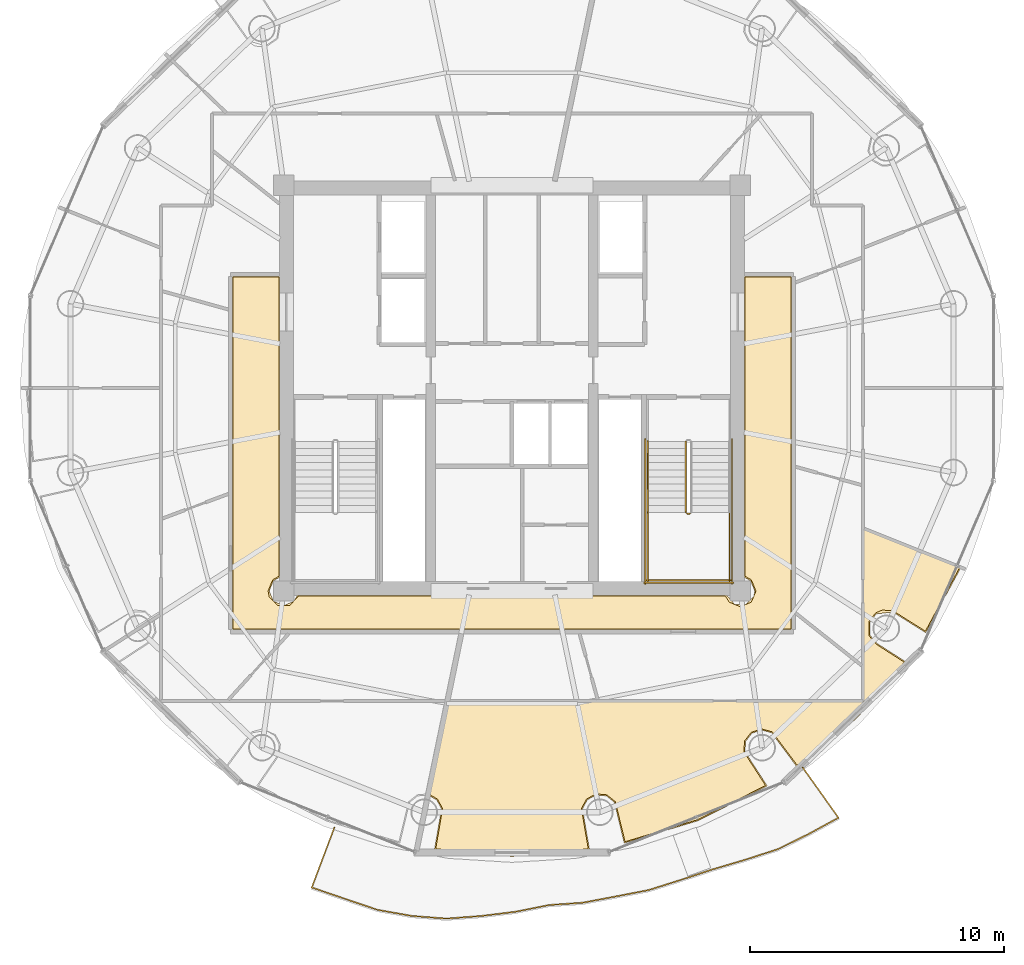
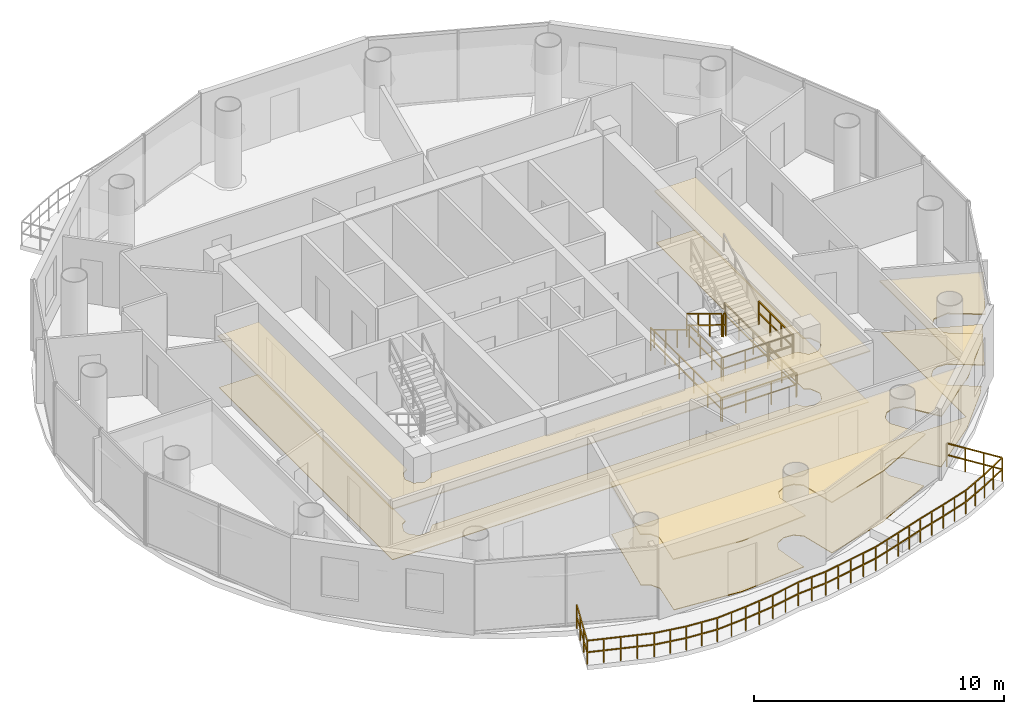
# One storey, part 20 of 22: 10 railings, 4 coverings.
"""IFC4 building model written with IfcOpenShell, lengths in metres."""

import ifcopenshell
import ifcopenshell.guid

model = None  # the IFC model being written
_history = None  # IfcOwnerHistory: only IFC2X3 demands one
_inside = {}  # id of a spatial element -> (the spatial element, [elements in it])
_under = {}  # id of a project, library or spatial element -> (it, [spatial elements below it])
_declared = {}  # id of a project -> (the project, [libraries it declares])
_typed = {}  # id of a type object -> (the type object, [elements of that type])
_made_of = {}  # id of a material, layer set ... -> (it, [elements and type objects made of it])


def new_model(schema):
    """Start an empty IFC model of exactly this schema.

    Asked for "IFC4X3", IfcOpenShell would pick the latest addendum, in which some entities
    have other attributes; the version numbers below select the first issue.
    IFC2X3 requires an IfcOwnerHistory on every rooted entity: one is made here for all.
    """
    global model, _history
    if schema == "IFC4X3":
        model = ifcopenshell.file(schema_version=(4, 3, 0, 0))
    else:
        model = ifcopenshell.file(schema=schema)
    _inside.clear()
    _under.clear()
    _declared.clear()
    _typed.clear()
    _made_of.clear()
    _history = None
    if model.schema == "IFC2X3":
        org = make("IfcOrganization", Name="unknown")
        user = make(
            "IfcPersonAndOrganization",
            ThePerson=make("IfcPerson", FamilyName="unknown"),
            TheOrganization=org,
        )
        app = make(
            "IfcApplication",
            ApplicationDeveloper=org,
            Version="unknown",
            ApplicationFullName="unknown",
            ApplicationIdentifier="unknown",
        )
        _history = make(
            "IfcOwnerHistory",
            OwningUser=user,
            OwningApplication=app,
            ChangeAction="ADDED",
            CreationDate=0,
        )
    return model


def make(cls, **values):
    """One entity of the class cls with the attributes given. An attribute that is None is left unset."""
    return model.create_entity(
        cls, **{name: value for name, value in values.items() if value is not None}
    )


def rooted(cls, **values):
    """An entity with a GlobalId (a new one), such as an element, a storey or a relation."""
    return make(cls, GlobalId=ifcopenshell.guid.new(), OwnerHistory=_history, **values)


def si_unit(unit_type, name, prefix=None):
    """IfcSIUnit, for example si_unit("LENGTHUNIT", "METRE", prefix="MILLI")."""
    return make("IfcSIUnit", UnitType=unit_type, Prefix=prefix, Name=name)


def assignment(units):
    """IfcUnitAssignment: the units of a project."""
    return None if units is None else make("IfcUnitAssignment", Units=units)


def point(xyz):
    """IfcCartesianPoint."""
    return None if xyz is None else make("IfcCartesianPoint", Coordinates=xyz)


def direction(xyz):
    """IfcDirection."""
    return None if xyz is None else make("IfcDirection", DirectionRatios=xyz)


def frame(location, z_axis=None, x_axis=None):
    """IfcAxis2Placement3D, a coordinate frame: its origin and axes. An axis left out is left unset."""
    return make(
        "IfcAxis2Placement3D",
        Location=point(location),
        Axis=direction(z_axis),
        RefDirection=direction(x_axis),
    )


def frame_2d(location, x_axis=None):
    """IfcAxis2Placement2D, a coordinate frame in the plane: its origin and x axis."""
    return make(
        "IfcAxis2Placement2D", Location=point(location), RefDirection=direction(x_axis)
    )


def origin():
    """The frame at (0, 0, 0) with its axes left unset."""
    return frame((0.0, 0.0, 0.0))


def origin_2d():
    """The frame at (0, 0) in the plane with its x axis left unset."""
    return frame_2d((0.0, 0.0))


def place(relative_to, where):
    """IfcLocalPlacement: puts the frame where relative to a parent placement (None: the world)."""
    return make(
        "IfcLocalPlacement", PlacementRelTo=relative_to, RelativePlacement=where
    )


def context(
    kind, dimensions, precision=None, world=None, true_north=None, identifier=None
):
    """IfcGeometricRepresentationContext, for example the 3D "Model" context."""
    return make(
        "IfcGeometricRepresentationContext",
        ContextIdentifier=identifier,
        ContextType=kind,
        CoordinateSpaceDimension=dimensions,
        Precision=precision,
        WorldCoordinateSystem=world,
        TrueNorth=true_north,
    )


def subcontext(parent, identifier, kind, view, scale=None):
    """IfcGeometricRepresentationSubContext, for example "Body" below "Model"."""
    return make(
        "IfcGeometricRepresentationSubContext",
        ContextIdentifier=identifier,
        ContextType=kind,
        ParentContext=parent,
        TargetScale=scale,
        TargetView=view,
    )


def project(units=None, contexts=None):
    """IfcProject with its units and contexts."""
    return rooted(
        "IfcProject",
        Name="project",
        RepresentationContexts=contexts,
        UnitsInContext=assignment(units),
    )


def spatial(cls, under=None, at=None, **own):
    """A site, building, storey or space (cls), placed at a placement, below another one or the project."""
    s = rooted(cls, ObjectPlacement=at, **own)
    if under is not None:
        _under.setdefault(under.id(), (under, []))[1].append(s)
    return s


def polyline(points):
    """IfcPolyline through the points."""
    return make("IfcPolyline", Points=[point(p) for p in points])


def profile(cls, at=None, kind="AREA", **sizes):
    """A parametric profile (cls). Its sizes go by their IFC names, for example OverallWidth=200.0."""
    return make(cls, ProfileType=kind, Position=at, **sizes)


def rectangle(**sizes):
    """IfcRectangleProfileDef."""
    return profile("IfcRectangleProfileDef", **sizes)


def outline(outer, holes=None, kind="AREA"):
    """IfcArbitraryClosedProfileDef: a profile drawn as a closed curve; with holes, ...WithVoids."""
    if holes is None:
        return make("IfcArbitraryClosedProfileDef", ProfileType=kind, OuterCurve=outer)
    return make(
        "IfcArbitraryProfileDefWithVoids",
        ProfileType=kind,
        OuterCurve=outer,
        InnerCurves=holes,
    )


def extrude(swept, where, along, depth):
    """IfcExtrudedAreaSolid: the profile swept, set in the frame where, extruded along a direction by depth."""
    return make(
        "IfcExtrudedAreaSolid",
        SweptArea=swept,
        Position=where,
        ExtrudedDirection=direction(along),
        Depth=depth,
    )


def shape(context_of_items, identifier, shape_type, items):
    """IfcShapeRepresentation: the items that make up one representation, for example the "Body"."""
    return make(
        "IfcShapeRepresentation",
        ContextOfItems=context_of_items,
        RepresentationIdentifier=identifier,
        RepresentationType=shape_type,
        Items=items,
    )


def material(Name=None, Category=None):
    """IfcMaterial."""
    return make("IfcMaterial", Name=Name, Category=Category)


def layer(
    of_material, thickness, ventilated=None, Name=None, Category=None, Priority=None
):
    """IfcMaterialLayer: one layer of a wall or slab, of a material (None: an air gap)."""
    return make(
        "IfcMaterialLayer",
        Material=of_material,
        LayerThickness=thickness,
        IsVentilated=ventilated,
        Name=Name,
        Category=Category,
        Priority=Priority,
    )


def layer_set(layers, Name=None):
    """IfcMaterialLayerSet."""
    return make("IfcMaterialLayerSet", MaterialLayers=layers, LayerSetName=Name)


def made_of(thing, what):
    """Note that an element or type object is made of a material, layer set ...; save() writes the relation."""
    if what is not None:
        _made_of.setdefault(what.id(), (what, []))[1].append(thing)
    return thing


def type_object(cls, material=None, **own):
    """A type object (cls), such as IfcWallType, which elements share."""
    return made_of(rooted(cls, **own), material)


def element(
    cls,
    number,
    at=None,
    inside=None,
    cuts=None,
    type_object=None,
    material=None,
    context=None,
    identifier="Body",
    shape_type=None,
    held_by="IfcProductDefinitionShape",
    body=None,
    shapes=None,
    **own,
):
    """One element of the class cls, such as IfcWall. Its Tag is "e" and its number.

    at: its placement. inside: the storey or other place that contains it. cuts: it is an
    opening in that element (IfcRelVoidsElement). A single representation is given by context,
    identifier, shape_type and body (its items); several are given by shapes. held_by: the class
    of the entity that holds the representations. save() writes the other relations.
    """
    e = rooted(cls, Tag="e%d" % number, ObjectPlacement=at, **own)
    if body is not None:
        shapes = [shape(context, identifier, shape_type, body)]
    if shapes is not None:
        e.Representation = make(held_by, Representations=shapes)
    if inside is not None:
        _inside.setdefault(inside.id(), (inside, []))[1].append(e)
    if cuts is not None:
        rooted(
            "IfcRelVoidsElement", RelatingBuildingElement=cuts, RelatedOpeningElement=e
        )
    if type_object is not None:
        _typed.setdefault(type_object.id(), (type_object, []))[1].append(e)
    return made_of(e, material)


def aggregate(whole, parts):
    """IfcRelAggregates: a whole, such as a stair, and the parts it consists of."""
    return rooted("IfcRelAggregates", RelatingObject=whole, RelatedObjects=parts)


def save(model, path):
    """Write the relations noted so far, then the file.

    IfcRelAggregates (storeys below a building ...), IfcRelContainedInSpatialStructure (elements
    in a storey), IfcRelDefinesByType, IfcRelAssociatesMaterial and IfcRelDeclares: one each for
    every whole, place, type object, material and project.
    """
    for whole, parts in _under.values():
        aggregate(whole, parts)
    for where, things in _inside.values():
        rooted(
            "IfcRelContainedInSpatialStructure",
            RelatedElements=things,
            RelatingStructure=where,
        )
    for kind, things in _typed.values():
        rooted("IfcRelDefinesByType", RelatedObjects=things, RelatingType=kind)
    for what, things in _made_of.values():
        rooted("IfcRelAssociatesMaterial", RelatedObjects=things, RelatingMaterial=what)
    for by, libraries in _declared.values():
        rooted("IfcRelDeclares", RelatingContext=by, RelatedDefinitions=libraries)
    model.write(path)


model = new_model("IFC4")

# Units and contexts
model_context = context("Model", 3, precision=1e-05, world=origin(), true_north=direction((-0.2419218956, 0.970295726276)))
body_context = subcontext(model_context, "Body", "Model", "MODEL_VIEW")
ifc_project = project(units=[si_unit("LENGTHUNIT", "METRE"), si_unit("AREAUNIT", "SQUARE_METRE"), si_unit("VOLUMEUNIT", "CUBIC_METRE"), si_unit("PLANEANGLEUNIT", "RADIAN"), si_unit("MASSUNIT", "GRAM", prefix="KILO")], contexts=[model_context])

# Site, building, storey
site_placement = place(None, origin())
site = spatial("IfcSite", under=ifc_project, at=site_placement, CompositionType="ELEMENT")
building_placement = place(site_placement, origin())
building = spatial("IfcBuilding", under=site, at=building_placement, Name="Cobrevalo Terracotta Tower", CompositionType="ELEMENT")
storey_placement = place(building_placement, frame((0.0, 0.0, 289.449951171875)))
storey = spatial("IfcBuildingStorey", under=building, at=storey_placement, Name="L76", CompositionType="ELEMENT", Elevation=289.449951171875)

# Railing
ifc_material_1 = material(Name="Laminated structural glass and stainless steel", Category="steel")
railing_type_1 = type_object("IfcRailingType", Name="Balcony lobe structural glass & terracotta-cap balustrade 1180 mm", PredefinedType="BALUSTRADE", material=ifc_material_1)
railing_1_placement = place(storey_placement, frame((30.99609375, 9.48046875, 0.0)))
element("IfcRailing", 1, at=railing_1_placement, inside=storey, type_object=railing_type_1, Name="L76 spiralling balcony lobe balustrade 2", PredefinedType="BALUSTRADE", context=body_context, shape_type="SweptSolid", body=[
    extrude(rectangle(XDim=0.048095703125, YDim=0.048095703125, at=origin_2d()), frame((0.0, 0.0, 1.15576171875), z_axis=(-0.351810122888, -0.936071384796, 0.0), x_axis=(0.936071384796, -0.351810122888, 0.0)), (0.0, 0.0, 1.0), 2.5322265625),
    extrude(rectangle(XDim=0.048095703125, YDim=0.048095703125, at=origin_2d()), frame((0.0, 0.0, 0.58984375), z_axis=(-0.351810122888, -0.936071384796, 0.0), x_axis=(0.936071384796, -0.351810122888, 0.0)), (0.0, 0.0, 1.0), 2.5322265625),
    extrude(rectangle(XDim=0.048095703125, YDim=0.048095703125, at=origin_2d()), frame((-0.890869140625, -2.370361328125, 1.15576171875), z_axis=(0.946371179412, -0.323081399618, 0.0), x_axis=(0.323081399618, 0.946371179412, 0.0)), (0.0, 0.0, 1.0), 1.3662109375),
    extrude(rectangle(XDim=0.048095703125, YDim=0.048095703125, at=origin_2d()), frame((-0.890869140625, -2.370361328125, 0.58984375), z_axis=(0.946371179412, -0.323081399618, 0.0), x_axis=(0.323081399618, 0.946371179412, 0.0)), (0.0, 0.0, 1.0), 1.3662109375),
    extrude(rectangle(XDim=0.048095703125, YDim=0.048095703125, at=origin_2d()), frame((0.402099609375, -2.811767578125, 1.15576171875), z_axis=(0.947175150586, -0.320716750594, 0.0), x_axis=(0.320716750594, 0.947175150586, 0.0)), (0.0, 0.0, 1.0), 1.369384765625),
    extrude(rectangle(XDim=0.048095703125, YDim=0.048095703125, at=origin_2d()), frame((0.402099609375, -2.811767578125, 0.58984375), z_axis=(0.947175150586, -0.320716750594, 0.0), x_axis=(0.320716750594, 0.947175150586, 0.0)), (0.0, 0.0, 1.0), 1.369384765625),
    extrude(rectangle(XDim=0.048095703125, YDim=0.048095703125, at=origin_2d()), frame((1.69921875, -3.2509765625, 1.15576171875), z_axis=(0.984495670632, -0.175408878071, 0.0), x_axis=(0.175408878071, 0.984495670632, 0.0)), (0.0, 0.0, 1.0), 1.372314453125),
    extrude(rectangle(XDim=0.048095703125, YDim=0.048095703125, at=origin_2d()), frame((1.69921875, -3.2509765625, 0.58984375), z_axis=(0.984495670632, -0.175408878071, 0.0), x_axis=(0.175408878071, 0.984495670632, 0.0)), (0.0, 0.0, 1.0), 1.372314453125),
    extrude(rectangle(XDim=0.048095703125, YDim=0.048095703125, at=origin_2d()), frame((3.05029296875, -3.49169921875, 1.15576171875), z_axis=(0.996988043994, -0.077555400418, 0.0), x_axis=(0.077555400418, 0.996988043994, 0.0)), (0.0, 0.0, 1.0), 1.369384765625),
    extrude(rectangle(XDim=0.048095703125, YDim=0.048095703125, at=origin_2d()), frame((3.05029296875, -3.49169921875, 0.58984375), z_axis=(0.996988043994, -0.077555400418, 0.0), x_axis=(0.077555400418, 0.996988043994, 0.0)), (0.0, 0.0, 1.0), 1.369384765625),
    extrude(rectangle(XDim=0.048095703125, YDim=0.048095703125, at=origin_2d()), frame((4.41552734375, -3.597900390625, 1.15576171875), z_axis=(0.997142485636, 0.075543784258, 0.0), x_axis=(-0.075543784258, 0.997142485636, 0.0)), (0.0, 0.0, 1.0), 1.376708984375),
    extrude(rectangle(XDim=0.048095703125, YDim=0.048095703125, at=origin_2d()), frame((4.41552734375, -3.597900390625, 0.58984375), z_axis=(0.997142485636, 0.075543784258, 0.0), x_axis=(-0.075543784258, 0.997142485636, 0.0)), (0.0, 0.0, 1.0), 1.376708984375),
    extrude(rectangle(XDim=0.048095703125, YDim=0.048095703125, at=origin_2d()), frame((5.788330078125, -3.493896484375, 1.15576171875), z_axis=(0.992519046173, 0.122089897141, 0.0), x_axis=(-0.122089897141, 0.992519046173, 0.0)), (0.0, 0.0, 1.0), 1.35986328125),
    extrude(rectangle(XDim=0.048095703125, YDim=0.048095703125, at=origin_2d()), frame((5.788330078125, -3.493896484375, 0.58984375), z_axis=(0.992519046173, 0.122089897141, 0.0), x_axis=(-0.122089897141, 0.992519046173, 0.0)), (0.0, 0.0, 1.0), 1.35986328125),
    extrude(rectangle(XDim=0.048095703125, YDim=0.048095703125, at=origin_2d()), frame((7.137939453125, -3.327880859375, 1.15576171875), z_axis=(0.980406521446, 0.19698490477, 0.0), x_axis=(-0.19698490477, 0.980406521446, 0.0)), (0.0, 0.0, 1.0), 1.350830078125),
    extrude(rectangle(XDim=0.048095703125, YDim=0.048095703125, at=origin_2d()), frame((7.137939453125, -3.327880859375, 0.58984375), z_axis=(0.980406521446, 0.19698490477, 0.0), x_axis=(-0.19698490477, 0.980406521446, 0.0)), (0.0, 0.0, 1.0), 1.350830078125),
    extrude(rectangle(XDim=0.048095703125, YDim=0.048095703125, at=origin_2d()), frame((8.46240234375, -3.061767578125, 1.15576171875), z_axis=(0.997670628649, 0.068215223595, 0.0), x_axis=(-0.068215223595, 0.997670628649, 0.0)), (0.0, 0.0, 1.0), 1.327880859375),
    extrude(rectangle(XDim=0.048095703125, YDim=0.048095703125, at=origin_2d()), frame((8.46240234375, -3.061767578125, 0.58984375), z_axis=(0.997670628649, 0.068215223595, 0.0), x_axis=(-0.068215223595, 0.997670628649, 0.0)), (0.0, 0.0, 1.0), 1.327880859375),
    extrude(rectangle(XDim=0.048095703125, YDim=0.048095703125, at=origin_2d()), frame((9.787109375, -2.97119140625, 1.15576171875), z_axis=(0.982579327919, 0.185843655655, 0.0), x_axis=(-0.185843655655, 0.982579327919, 0.0)), (0.0, 0.0, 1.0), 1.326904296875),
    extrude(rectangle(XDim=0.048095703125, YDim=0.048095703125, at=origin_2d()), frame((9.787109375, -2.97119140625, 0.58984375), z_axis=(0.982579327919, 0.185843655655, 0.0), x_axis=(-0.185843655655, 0.982579327919, 0.0)), (0.0, 0.0, 1.0), 1.326904296875),
    extrude(rectangle(XDim=0.048095703125, YDim=0.048095703125, at=origin_2d()), frame((11.0908203125, -2.724609375, 1.15576171875), z_axis=(0.981668969235, 0.190593900324, 0.0), x_axis=(-0.190593900324, 0.981668969235, 0.0)), (0.0, 0.0, 1.0), 1.3271484375),
    extrude(rectangle(XDim=0.048095703125, YDim=0.048095703125, at=origin_2d()), frame((11.0908203125, -2.724609375, 0.58984375), z_axis=(0.981668969235, 0.190593900324, 0.0), x_axis=(-0.190593900324, 0.981668969235, 0.0)), (0.0, 0.0, 1.0), 1.3271484375),
    extrude(rectangle(XDim=0.048095703125, YDim=0.048095703125, at=origin_2d()), frame((12.3935546875, -2.4716796875, 1.15576171875), z_axis=(0.953367868684, 0.301810713795, 0.0), x_axis=(-0.301810713795, 0.953367868684, 0.0)), (0.0, 0.0, 1.0), 1.32421875),
    extrude(rectangle(XDim=0.048095703125, YDim=0.048095703125, at=origin_2d()), frame((12.3935546875, -2.4716796875, 0.58984375), z_axis=(0.953367868684, 0.301810713795, 0.0), x_axis=(-0.301810713795, 0.953367868684, 0.0)), (0.0, 0.0, 1.0), 1.32421875),
    extrude(rectangle(XDim=0.048095703125, YDim=0.048095703125, at=origin_2d()), frame((13.656005859375, -2.072021484375, 1.15576171875), z_axis=(0.949783183753, 0.312908778815, 0.0), x_axis=(-0.312908778815, 0.949783183753, 0.0)), (0.0, 0.0, 1.0), 1.324951171875),
    extrude(rectangle(XDim=0.048095703125, YDim=0.048095703125, at=origin_2d()), frame((13.656005859375, -2.072021484375, 0.58984375), z_axis=(0.949783183753, 0.312908778815, 0.0), x_axis=(-0.312908778815, 0.949783183753, 0.0)), (0.0, 0.0, 1.0), 1.324951171875),
    extrude(rectangle(XDim=0.048095703125, YDim=0.048095703125, at=origin_2d()), frame((14.914306640625, -1.657470703125, 1.15576171875), z_axis=(0.958663245974, 0.284543108893, 0.0), x_axis=(-0.284543108893, 0.958663245974, 0.0)), (0.0, 0.0, 1.0), 1.334228515625),
    extrude(rectangle(XDim=0.048095703125, YDim=0.048095703125, at=origin_2d()), frame((14.914306640625, -1.657470703125, 0.58984375), z_axis=(0.958663245974, 0.284543108893, 0.0), x_axis=(-0.284543108893, 0.958663245974, 0.0)), (0.0, 0.0, 1.0), 1.334228515625),
    extrude(rectangle(XDim=0.048095703125, YDim=0.048095703125, at=origin_2d()), frame((16.193359375, -1.27783203125, 1.15576171875), z_axis=(0.951424319039, 0.307882713289, 0.0), x_axis=(-0.307882713289, 0.951424319039, 0.0)), (0.0, 0.0, 1.0), 1.353515625),
    extrude(rectangle(XDim=0.048095703125, YDim=0.048095703125, at=origin_2d()), frame((16.193359375, -1.27783203125, 0.58984375), z_axis=(0.951424319039, 0.307882713289, 0.0), x_axis=(-0.307882713289, 0.951424319039, 0.0)), (0.0, 0.0, 1.0), 1.353515625),
    extrude(rectangle(XDim=0.048095703125, YDim=0.048095703125, at=origin_2d()), frame((17.481201171875, -0.861083984375, 1.15576171875), z_axis=(0.897419468062, 0.441178306746, 0.0), x_axis=(-0.441178306746, 0.897419468062, 0.0)), (0.0, 0.0, 1.0), 1.34521484375),
    extrude(rectangle(XDim=0.048095703125, YDim=0.048095703125, at=origin_2d()), frame((17.481201171875, -0.861083984375, 0.58984375), z_axis=(0.897419468062, 0.441178306746, 0.0), x_axis=(-0.441178306746, 0.897419468062, 0.0)), (0.0, 0.0, 1.0), 1.34521484375),
    extrude(rectangle(XDim=0.048095703125, YDim=0.048095703125, at=origin_2d()), frame((18.6884765625, -0.267578125, 1.15576171875), z_axis=(0.877819834499, 0.478990958328, 0.0), x_axis=(-0.478990958328, 0.877819834499, 0.0)), (0.0, 0.0, 1.0), 1.355224609375),
    extrude(rectangle(XDim=0.048095703125, YDim=0.048095703125, at=origin_2d()), frame((18.6884765625, -0.267578125, 0.58984375), z_axis=(0.877819834499, 0.478990958328, 0.0), x_axis=(-0.478990958328, 0.877819834499, 0.0)), (0.0, 0.0, 1.0), 1.355224609375),
    extrude(rectangle(XDim=0.048095703125, YDim=0.048095703125, at=origin_2d()), frame((19.878173828125, 0.381591796875, 1.15576171875), z_axis=(-0.580109412778, 0.814538562136, 0.0), x_axis=(-0.814538562136, -0.580109412778, 0.0)), (0.0, 0.0, 1.0), 2.435791015625),
    extrude(rectangle(XDim=0.048095703125, YDim=0.048095703125, at=origin_2d()), frame((19.878173828125, 0.381591796875, 0.58984375), z_axis=(-0.580109412778, 0.814538562136, 0.0), x_axis=(-0.814538562136, -0.580109412778, 0.0)), (0.0, 0.0, 1.0), 2.435791015625),
    extrude(rectangle(XDim=0.0419921875, YDim=0.0419921875, at=origin_2d()), origin(), (0.0, 0.0, 1.0), 1.1318359375),
    extrude(rectangle(XDim=0.0419921875, YDim=0.0419921875, at=origin_2d()), frame((-0.296875, -0.7900390625, 0.0)), (0.0, 0.0, 1.0), 1.1318359375),
    extrude(rectangle(XDim=0.0419921875, YDim=0.0419921875, at=origin_2d()), frame((-0.593994140625, -1.580322265625, 0.0)), (0.0, 0.0, 1.0), 1.1318359375),
    extrude(rectangle(XDim=0.0419921875, YDim=0.0419921875, at=origin_2d()), frame((-0.890869140625, -2.370361328125, 0.0)), (0.0, 0.0, 1.0), 1.1318359375),
    extrude(rectangle(XDim=0.0419921875, YDim=0.0419921875, at=origin_2d()), frame((-0.244384765625, -2.591064453125, 0.0)), (0.0, 0.0, 1.0), 1.1318359375),
    extrude(rectangle(XDim=0.0419921875, YDim=0.0419921875, at=origin_2d()), frame((0.402099609375, -2.811767578125, 0.0)), (0.0, 0.0, 1.0), 1.1318359375),
    extrude(rectangle(XDim=0.0419921875, YDim=0.0419921875, at=origin_2d()), frame((1.05078125, -3.03125, 0.0)), (0.0, 0.0, 1.0), 1.1318359375),
    extrude(rectangle(XDim=0.0419921875, YDim=0.0419921875, at=origin_2d()), frame((1.69921875, -3.2509765625, 0.0)), (0.0, 0.0, 1.0), 1.1318359375),
    extrude(rectangle(XDim=0.0419921875, YDim=0.0419921875, at=origin_2d()), frame((2.374755859375, -3.371337890625, 0.0)), (0.0, 0.0, 1.0), 1.1318359375),
    extrude(rectangle(XDim=0.0419921875, YDim=0.0419921875, at=origin_2d()), frame((3.05029296875, -3.49169921875, 0.0)), (0.0, 0.0, 1.0), 1.1318359375),
    extrude(rectangle(XDim=0.0419921875, YDim=0.0419921875, at=origin_2d()), frame((3.73291015625, -3.544921875, 0.0)), (0.0, 0.0, 1.0), 1.1318359375),
    extrude(rectangle(XDim=0.0419921875, YDim=0.0419921875, at=origin_2d()), frame((4.41552734375, -3.597900390625, 0.0)), (0.0, 0.0, 1.0), 1.1318359375),
    extrude(rectangle(XDim=0.0419921875, YDim=0.0419921875, at=origin_2d()), frame((5.10205078125, -3.5458984375, 0.0)), (0.0, 0.0, 1.0), 1.1318359375),
    extrude(rectangle(XDim=0.0419921875, YDim=0.0419921875, at=origin_2d()), frame((5.788330078125, -3.493896484375, 0.0)), (0.0, 0.0, 1.0), 1.1318359375),
    extrude(rectangle(XDim=0.0419921875, YDim=0.0419921875, at=origin_2d()), frame((6.463134765625, -3.410888671875, 0.0)), (0.0, 0.0, 1.0), 1.1318359375),
    extrude(rectangle(XDim=0.0419921875, YDim=0.0419921875, at=origin_2d()), frame((7.137939453125, -3.327880859375, 0.0)), (0.0, 0.0, 1.0), 1.1318359375),
    extrude(rectangle(XDim=0.0419921875, YDim=0.0419921875, at=origin_2d()), frame((7.80029296875, -3.19482421875, 0.0)), (0.0, 0.0, 1.0), 1.1318359375),
    extrude(rectangle(XDim=0.0419921875, YDim=0.0419921875, at=origin_2d()), frame((8.46240234375, -3.061767578125, 0.0)), (0.0, 0.0, 1.0), 1.1318359375),
    extrude(rectangle(XDim=0.0419921875, YDim=0.0419921875, at=origin_2d()), frame((9.124755859375, -3.0166015625, 0.0)), (0.0, 0.0, 1.0), 1.1318359375),
    extrude(rectangle(XDim=0.0419921875, YDim=0.0419921875, at=origin_2d()), frame((9.787109375, -2.97119140625, 0.0)), (0.0, 0.0, 1.0), 1.1318359375),
    extrude(rectangle(XDim=0.0419921875, YDim=0.0419921875, at=origin_2d()), frame((10.43896484375, -2.847900390625, 0.0)), (0.0, 0.0, 1.0), 1.1318359375),
    extrude(rectangle(XDim=0.0419921875, YDim=0.0419921875, at=origin_2d()), frame((11.0908203125, -2.724609375, 0.0)), (0.0, 0.0, 1.0), 1.1318359375),
    extrude(rectangle(XDim=0.0419921875, YDim=0.0419921875, at=origin_2d()), frame((11.7421875, -2.59814453125, 0.0)), (0.0, 0.0, 1.0), 1.1318359375),
    extrude(rectangle(XDim=0.0419921875, YDim=0.0419921875, at=origin_2d()), frame((12.3935546875, -2.4716796875, 0.0)), (0.0, 0.0, 1.0), 1.1318359375),
    extrude(rectangle(XDim=0.0419921875, YDim=0.0419921875, at=origin_2d()), frame((13.02490234375, -2.27197265625, 0.0)), (0.0, 0.0, 1.0), 1.1318359375),
    extrude(rectangle(XDim=0.0419921875, YDim=0.0419921875, at=origin_2d()), frame((13.656005859375, -2.072021484375, 0.0)), (0.0, 0.0, 1.0), 1.1318359375),
    extrude(rectangle(XDim=0.0419921875, YDim=0.0419921875, at=origin_2d()), frame((14.28515625, -1.86474609375, 0.0)), (0.0, 0.0, 1.0), 1.1318359375),
    extrude(rectangle(XDim=0.0419921875, YDim=0.0419921875, at=origin_2d()), frame((14.914306640625, -1.657470703125, 0.0)), (0.0, 0.0, 1.0), 1.1318359375),
    extrude(rectangle(XDim=0.0419921875, YDim=0.0419921875, at=origin_2d()), frame((15.5537109375, -1.4677734375, 0.0)), (0.0, 0.0, 1.0), 1.1318359375),
    extrude(rectangle(XDim=0.0419921875, YDim=0.0419921875, at=origin_2d()), frame((16.193359375, -1.27783203125, 0.0)), (0.0, 0.0, 1.0), 1.1318359375),
    extrude(rectangle(XDim=0.0419921875, YDim=0.0419921875, at=origin_2d()), frame((16.83740234375, -1.0693359375, 0.0)), (0.0, 0.0, 1.0), 1.1318359375),
    extrude(rectangle(XDim=0.0419921875, YDim=0.0419921875, at=origin_2d()), frame((17.481201171875, -0.861083984375, 0.0)), (0.0, 0.0, 1.0), 1.1318359375),
    extrude(rectangle(XDim=0.0419921875, YDim=0.0419921875, at=origin_2d()), frame((18.0849609375, -0.564453125, 0.0)), (0.0, 0.0, 1.0), 1.1318359375),
    extrude(rectangle(XDim=0.0419921875, YDim=0.0419921875, at=origin_2d()), frame((18.6884765625, -0.267578125, 0.0)), (0.0, 0.0, 1.0), 1.1318359375),
    extrude(rectangle(XDim=0.0419921875, YDim=0.0419921875, at=origin_2d()), frame((19.283203125, 0.05712890625, 0.0)), (0.0, 0.0, 1.0), 1.1318359375),
    extrude(rectangle(XDim=0.0419921875, YDim=0.0419921875, at=origin_2d()), frame((19.878173828125, 0.381591796875, 0.0)), (0.0, 0.0, 1.0), 1.1318359375),
    extrude(rectangle(XDim=0.0419921875, YDim=0.0419921875, at=origin_2d()), frame((19.4072265625, 1.04296875, 0.0)), (0.0, 0.0, 1.0), 1.1318359375),
    extrude(rectangle(XDim=0.0419921875, YDim=0.0419921875, at=origin_2d()), frame((18.93603515625, 1.704345703125, 0.0)), (0.0, 0.0, 1.0), 1.1318359375),
    extrude(rectangle(XDim=0.0419921875, YDim=0.0419921875, at=origin_2d()), frame((18.465087890625, 2.36572265625, 0.0)), (0.0, 0.0, 1.0), 1.1318359375),
])

# Coverings
ifc_material_2 = material(Name="Engineered Brazilian hardwood flooring", Category="wood")
ifc_layer_1 = layer(ifc_material_2, 0.028076171875)
ifc_layer_set_1 = layer_set([ifc_layer_1], Name="Engineered Brazilian hardwood flooring")
covering_type_1 = type_object("IfcCoveringType", Name="Engineered Hardwood Suite Flooring 28", PredefinedType="FLOORING", material=ifc_layer_set_1)
covering_1_placement = place(storey_placement, origin())
element("IfcCovering", 2, at=covering_1_placement, inside=storey, type_object=covering_type_1, Name="Flat L76B Penthouse Living and Dining Room floor finish", PredefinedType="FLOORING", context=body_context, shape_type="SweptSolid", body=[
    extrude(outline(polyline([(54.300048828125, 17.217529296875), (53.029052734375, 18.016357421875), (52.600830078125, 18.050537109375), (52.336181640625, 17.935302734375), (52.06982421875, 17.59814453125), (52.080078125, 17.03173828125), (52.358154296875, 16.705322265625), (53.4560546875, 16.00048828125), (53.169189453125, 15.5869140625), (51.52001953125, 13.775390625), (49.243896484375, 11.931884765625), (48.260986328125, 13.246337890625), (47.847412109375, 13.363525390625), (47.438720703125, 13.23095703125), (47.17236328125, 12.893798828125), (47.138427734375, 12.465576171875), (47.99853515625, 11.130126953125), (45.317138671875, 9.7822265625), (42.45947265625, 8.9140625), (42.074951171875, 10.49365234375), (41.74072265625, 10.763671875), (41.312744140625, 10.80224609375), (40.935546875, 10.596923828125), (40.73583984375, 10.21630859375), (41.005859375, 8.635498046875), (38.0, 8.380126953125), (34.994140625, 8.635498046875), (35.26416015625, 10.21630859375), (35.064453125, 10.596923828125), (34.71728515625, 10.79296875), (35.470947265625, 14.445068359375), (51.85498046875, 14.445068359375), (51.85498046875, 21.24658203125), (55.65380859375, 19.72998046875), (54.300048828125, 17.217529296875)])), origin(), (0.0, 0.0, 1.0), 0.030029296875),
])
ifc_material_3 = material(Name="Honed terracotta and granite tile", Category="masonry")
ifc_layer_2 = layer(ifc_material_3, 0.034912109375)
ifc_layer_set_2 = layer_set([ifc_layer_2], Name="Honed terracotta and granite tile")
covering_type_2 = type_object("IfcCoveringType", Name="Honed Terracotta & Granite Interior Flooring 35", PredefinedType="FLOORING", material=ifc_layer_set_2)
covering_2_placement = place(storey_placement, origin())
element("IfcCovering", 3, at=covering_2_placement, inside=storey, type_object=covering_type_2, Name="L76 Residential Floor Corridor floor finish", PredefinedType="FLOORING", context=body_context, shape_type="SweptSolid", body=[
    extrude(outline(polyline([(26.9951171875, 31.179931640625), (28.804931640625, 31.179931640625), (28.804931640625, 19.381591796875), (28.561279296875, 19.23876953125), (28.379638671875, 18.800048828125), (28.4267578125, 18.5625), (28.7626953125, 18.226806640625), (29.2373046875, 18.226806640625), (29.58154296875, 18.60498046875), (46.41845703125, 18.60498046875), (46.561279296875, 18.361328125), (47.0, 18.1796875), (47.438720703125, 18.361328125), (47.620361328125, 18.800048828125), (47.438720703125, 19.23876953125), (47.195068359375, 19.381591796875), (47.195068359375, 31.179931640625), (49.0048828125, 31.179931640625), (49.0048828125, 17.294921875), (26.9951171875, 17.294921875), (26.9951171875, 31.179931640625)])), origin(), (0.0, 0.0, 1.0), 0.030029296875),
])
ifc_material_4 = material(Name="Acoustic perforated gypsum ceiling", Category="gypsum")
ifc_layer_3 = layer(ifc_material_4, 0.050048828125)
ifc_layer_set_3 = layer_set([ifc_layer_3], Name="Acoustic perforated gypsum ceiling")
covering_type_3 = type_object("IfcCoveringType", Name="Perforated Acoustic Gypsum Ceiling 50", PredefinedType="CEILING", material=ifc_layer_set_3)
covering_3_placement = place(storey_placement, frame((0.0, 0.0, 2.5)))
element("IfcCovering", 4, at=covering_3_placement, inside=storey, type_object=covering_type_3, Name="L76 Residential Floor Corridor acoustic ceiling", PredefinedType="CEILING", context=body_context, shape_type="SweptSolid", body=[
    extrude(outline(polyline([(26.949951171875, 31.22509765625), (28.85009765625, 31.22509765625), (28.85009765625, 19.3447265625), (28.59375, 19.206298828125), (28.425537109375, 18.800048828125), (28.59375, 18.393798828125), (29.0, 18.2255859375), (29.40625, 18.393798828125), (29.544677734375, 18.64990234375), (46.455322265625, 18.64990234375), (46.780029296875, 18.269287109375), (47.219970703125, 18.269287109375), (47.53076171875, 18.580078125), (47.574462890625, 18.800048828125), (47.40625, 19.206298828125), (47.14990234375, 19.3447265625), (47.14990234375, 31.22509765625), (49.050048828125, 31.22509765625), (49.050048828125, 17.25), (26.949951171875, 17.25), (26.949951171875, 31.22509765625)])), origin(), (0.0, 0.0, 1.0), 0.050048828125),
])
covering_4_placement = place(storey_placement, frame((0.0, 0.0, 2.5)))
element("IfcCovering", 5, at=covering_4_placement, inside=storey, type_object=covering_type_3, Name="Flat L76B Penthouse Living and Dining Room acoustic ceiling", PredefinedType="CEILING", context=body_context, shape_type="SweptSolid", body=[
    extrude(outline(polyline([(54.312255859375, 17.15625), (53.0126953125, 17.974365234375), (52.362060546875, 17.898193359375), (52.11181640625, 17.58154296875), (52.12158203125, 17.0498046875), (52.38427734375, 16.741943359375), (53.51953125, 16.01318359375), (53.204345703125, 15.558837890625), (51.551513671875, 13.742919921875), (49.231689453125, 11.87060546875), (48.236572265625, 13.208251953125), (47.848388671875, 13.318115234375), (47.464599609375, 13.19384765625), (47.214599609375, 12.877197265625), (47.1826171875, 12.47509765625), (48.062255859375, 11.11767578125), (45.333740234375, 9.740478515625), (42.424560546875, 8.861328125), (42.03759765625, 10.46826171875), (41.7236328125, 10.7216796875), (41.322021484375, 10.758056640625), (40.9677734375, 10.565185546875), (40.7802734375, 10.207763671875), (41.05908203125, 8.599853515625), (38.0, 8.3349609375), (34.94091796875, 8.599853515625), (35.2197265625, 10.207763671875), (35.0322265625, 10.565185546875), (34.6650390625, 10.76220703125), (35.43408203125, 14.489990234375), (51.81005859375, 14.489990234375), (51.81005859375, 21.31298828125), (55.71630859375, 19.75341796875), (54.312255859375, 17.15625)])), origin(), (0.0, 0.0, 1.0), 0.050048828125),
])

# Railings
ifc_material_5 = material(Name="Brushed stainless steel", Category="steel")
railing_type_2 = type_object("IfcRailingType", Name="Stainless Steel Stair Handrail 900", PredefinedType="HANDRAIL", material=ifc_material_5)
railing_2_placement = place(storey_placement, frame((43.35498046875, 24.699951171875, 0.17041015625)))
element("IfcRailing", 6, at=railing_2_placement, inside=storey, type_object=railing_type_2, Name="L76 ST-2 stair handrail 1", PredefinedType="HANDRAIL", context=body_context, shape_type="SweptSolid", body=[
    extrude(rectangle(XDim=0.048095703125, YDim=0.048095703125, at=origin_2d()), frame((0.0, 0.0, 0.8759765625), z_axis=(0.0, -0.854169791009, 0.51999420009), x_axis=(1.0, 0.0, 0.0)), (0.0, 0.0, 1.0), 3.278076171875),
    extrude(rectangle(XDim=0.0419921875, YDim=0.0419921875, at=origin_2d()), origin(), (0.0, 0.0, 1.0), 0.851806640625),
    extrude(rectangle(XDim=0.0419921875, YDim=0.0419921875, at=origin_2d()), frame((0.0, -0.933349609375, 0.568115234375)), (0.0, 0.0, 1.0), 0.851806640625),
    extrude(rectangle(XDim=0.0419921875, YDim=0.0419921875, at=origin_2d()), frame((0.0, -1.86669921875, 1.136474609375)), (0.0, 0.0, 1.0), 0.851806640625),
    extrude(rectangle(XDim=0.0419921875, YDim=0.0419921875, at=origin_2d()), frame((0.0, -2.800048828125, 1.70458984375)), (0.0, 0.0, 1.0), 0.851806640625),
])
ifc_material_6 = material(Name="Painted galvanized steel", Category="steel")
railing_type_3 = type_object("IfcRailingType", Name="Stair Well Guard Balustrade 1150", PredefinedType="GUARDRAIL", material=ifc_material_6)
railing_3_placement = place(storey_placement, frame((44.85498046875, 24.699951171875, 0.17041015625)))
element("IfcRailing", 7, at=railing_3_placement, inside=storey, type_object=railing_type_3, Name="L76 ST-2 stair guard 1", PredefinedType="GUARDRAIL", context=body_context, shape_type="SweptSolid", body=[
    extrude(rectangle(XDim=0.048095703125, YDim=0.048095703125, at=origin_2d()), frame((0.0, 0.0, 1.1259765625), z_axis=(0.0, -0.854169791009, 0.51999420009), x_axis=(1.0, 0.0, 0.0)), (0.0, 0.0, 1.0), 3.278076171875),
    extrude(rectangle(XDim=0.048095703125, YDim=0.048095703125, at=origin_2d()), frame((0.0, 0.0, 0.574951171875), z_axis=(0.0, -0.854169791009, 0.51999420009), x_axis=(1.0, 0.0, 0.0)), (0.0, 0.0, 1.0), 3.278076171875),
    extrude(rectangle(XDim=0.0419921875, YDim=0.0419921875, at=origin_2d()), origin(), (0.0, 0.0, 1.0), 1.101806640625),
    extrude(rectangle(XDim=0.0419921875, YDim=0.0419921875, at=origin_2d()), frame((0.0, -0.933349609375, 0.568115234375)), (0.0, 0.0, 1.0), 1.101806640625),
    extrude(rectangle(XDim=0.0419921875, YDim=0.0419921875, at=origin_2d()), frame((0.0, -1.86669921875, 1.136474609375)), (0.0, 0.0, 1.0), 1.101806640625),
    extrude(rectangle(XDim=0.0419921875, YDim=0.0419921875, at=origin_2d()), frame((0.0, -2.800048828125, 1.70458984375)), (0.0, 0.0, 1.0), 1.101806640625),
])
railing_4_placement = place(storey_placement, frame((44.905029296875, 21.85009765625, 1.875)))
element("IfcRailing", 8, at=railing_4_placement, inside=storey, type_object=railing_type_3, Name="L76 ST-2 stair guard 2", PredefinedType="GUARDRAIL", context=body_context, shape_type="SweptSolid", body=[
    extrude(rectangle(XDim=0.048095703125, YDim=0.048095703125, at=origin_2d()), frame((0.0, 0.0, 1.1259765625), z_axis=(1.0, 0.0, 0.0), x_axis=(0.0, 1.0, 0.0)), (0.0, 0.0, 1.0), 0.119873046875),
    extrude(rectangle(XDim=0.048095703125, YDim=0.048095703125, at=origin_2d()), frame((0.0, 0.0, 0.574951171875), z_axis=(1.0, 0.0, 0.0), x_axis=(0.0, 1.0, 0.0)), (0.0, 0.0, 1.0), 0.119873046875),
    extrude(rectangle(XDim=0.0419921875, YDim=0.0419921875, at=origin_2d()), origin(), (0.0, 0.0, 1.0), 1.101806640625),
    extrude(rectangle(XDim=0.0419921875, YDim=0.0419921875, at=origin_2d()), frame((0.119873046875, 0.0, 0.0)), (0.0, 0.0, 1.0), 1.101806640625),
])
for number, where, name in (
    (9, (43.35498046875, 21.89990234375, 1.875), "L76 ST-2 stair guard 3"),
    (10, (46.574951171875, 21.89990234375, 1.875), "L76 ST-2 stair guard 4"),
):
    element("IfcRailing", number, at=place(storey_placement, frame(where)), inside=storey, type_object=railing_type_3, Name=name, PredefinedType="GUARDRAIL", context=body_context, shape_type="SweptSolid", body=[
        extrude(rectangle(XDim=0.048095703125, YDim=0.048095703125, at=origin_2d()), frame((0.0, 0.0, 1.1259765625), z_axis=(0.0, -1.0, 0.0), x_axis=(1.0, 0.0, 0.0)), (0.0, 0.0, 1.0), 2.724853515625),
        extrude(rectangle(XDim=0.048095703125, YDim=0.048095703125, at=origin_2d()), frame((0.0, 0.0, 0.574951171875), z_axis=(0.0, -1.0, 0.0), x_axis=(1.0, 0.0, 0.0)), (0.0, 0.0, 1.0), 2.724853515625),
        extrude(rectangle(XDim=0.0419921875, YDim=0.0419921875, at=origin_2d()), origin(), (0.0, 0.0, 1.0), 1.101806640625),
        extrude(rectangle(XDim=0.0419921875, YDim=0.0419921875, at=origin_2d()), frame((0.0, -0.908203125, 0.0)), (0.0, 0.0, 1.0), 1.101806640625),
        extrude(rectangle(XDim=0.0419921875, YDim=0.0419921875, at=origin_2d()), frame((0.0, -1.816650390625, 0.0)), (0.0, 0.0, 1.0), 1.101806640625),
        extrude(rectangle(XDim=0.0419921875, YDim=0.0419921875, at=origin_2d()), frame((0.0, -2.724853515625, 0.0)), (0.0, 0.0, 1.0), 1.101806640625),
    ])
railing_5_placement = place(storey_placement, frame((43.304931640625, 19.22509765625, 1.875)))
element("IfcRailing", 11, at=railing_5_placement, inside=storey, type_object=railing_type_3, Name="L76 ST-2 stair guard 5", PredefinedType="GUARDRAIL", context=body_context, shape_type="SweptSolid", body=[
    extrude(rectangle(XDim=0.048095703125, YDim=0.048095703125, at=origin_2d()), frame((0.0, 0.0, 1.1259765625), z_axis=(1.0, 0.0, 0.0), x_axis=(0.0, 1.0, 0.0)), (0.0, 0.0, 1.0), 3.320068359375),
    extrude(rectangle(XDim=0.048095703125, YDim=0.048095703125, at=origin_2d()), frame((0.0, 0.0, 0.574951171875), z_axis=(1.0, 0.0, 0.0), x_axis=(0.0, 1.0, 0.0)), (0.0, 0.0, 1.0), 3.320068359375),
    extrude(rectangle(XDim=0.0419921875, YDim=0.0419921875, at=origin_2d()), origin(), (0.0, 0.0, 1.0), 1.101806640625),
    extrude(rectangle(XDim=0.0419921875, YDim=0.0419921875, at=origin_2d()), frame((1.106689453125, 0.0, 0.0)), (0.0, 0.0, 1.0), 1.101806640625),
    extrude(rectangle(XDim=0.0419921875, YDim=0.0419921875, at=origin_2d()), frame((2.21337890625, 0.0, 0.0)), (0.0, 0.0, 1.0), 1.101806640625),
    extrude(rectangle(XDim=0.0419921875, YDim=0.0419921875, at=origin_2d()), frame((3.320068359375, 0.0, 0.0)), (0.0, 0.0, 1.0), 1.101806640625),
])
for number, where, name in (
    (12, (43.2548828125, 24.800048828125, 0.0), "L76 ST-2 stair guard 10"),
    (13, (46.675048828125, 24.800048828125, 0.0), "L76 ST-2 stair guard 11"),
):
    element("IfcRailing", number, at=place(storey_placement, frame(where)), inside=storey, type_object=railing_type_3, Name=name, PredefinedType="GUARDRAIL", context=body_context, shape_type="SweptSolid", body=[
        extrude(rectangle(XDim=0.048095703125, YDim=0.048095703125, at=origin_2d()), frame((0.0, 0.0, 1.1259765625), z_axis=(0.0, -1.0, 0.0), x_axis=(1.0, 0.0, 0.0)), (0.0, 0.0, 1.0), 5.72509765625),
        extrude(rectangle(XDim=0.048095703125, YDim=0.048095703125, at=origin_2d()), frame((0.0, 0.0, 0.574951171875), z_axis=(0.0, -1.0, 0.0), x_axis=(1.0, 0.0, 0.0)), (0.0, 0.0, 1.0), 5.72509765625),
        extrude(rectangle(XDim=0.0419921875, YDim=0.0419921875, at=origin_2d()), origin(), (0.0, 0.0, 1.0), 1.101806640625),
        extrude(rectangle(XDim=0.0419921875, YDim=0.0419921875, at=origin_2d()), frame((0.0, -1.14501953125, 0.0)), (0.0, 0.0, 1.0), 1.101806640625),
        extrude(rectangle(XDim=0.0419921875, YDim=0.0419921875, at=origin_2d()), frame((0.0, -2.2900390625, 0.0)), (0.0, 0.0, 1.0), 1.101806640625),
        extrude(rectangle(XDim=0.0419921875, YDim=0.0419921875, at=origin_2d()), frame((0.0, -3.43505859375, 0.0)), (0.0, 0.0, 1.0), 1.101806640625),
        extrude(rectangle(XDim=0.0419921875, YDim=0.0419921875, at=origin_2d()), frame((0.0, -4.580078125, 0.0)), (0.0, 0.0, 1.0), 1.101806640625),
        extrude(rectangle(XDim=0.0419921875, YDim=0.0419921875, at=origin_2d()), frame((0.0, -5.72509765625, 0.0)), (0.0, 0.0, 1.0), 1.101806640625),
    ])
railing_6_placement = place(storey_placement, frame((43.205078125, 19.125, 0.0)))
element("IfcRailing", 14, at=railing_6_placement, inside=storey, type_object=railing_type_3, Name="L76 ST-2 stair guard 12", PredefinedType="GUARDRAIL", context=body_context, shape_type="SweptSolid", body=[
    extrude(rectangle(XDim=0.048095703125, YDim=0.048095703125, at=origin_2d()), frame((0.0, 0.0, 1.1259765625), z_axis=(1.0, 0.0, 0.0), x_axis=(0.0, 1.0, 0.0)), (0.0, 0.0, 1.0), 3.52001953125),
    extrude(rectangle(XDim=0.048095703125, YDim=0.048095703125, at=origin_2d()), frame((0.0, 0.0, 0.574951171875), z_axis=(1.0, 0.0, 0.0), x_axis=(0.0, 1.0, 0.0)), (0.0, 0.0, 1.0), 3.52001953125),
    extrude(rectangle(XDim=0.0419921875, YDim=0.0419921875, at=origin_2d()), origin(), (0.0, 0.0, 1.0), 1.101806640625),
    extrude(rectangle(XDim=0.0419921875, YDim=0.0419921875, at=origin_2d()), frame((1.17333984375, 0.0, 0.0)), (0.0, 0.0, 1.0), 1.101806640625),
    extrude(rectangle(XDim=0.0419921875, YDim=0.0419921875, at=origin_2d()), frame((2.3466796875, 0.0, 0.0)), (0.0, 0.0, 1.0), 1.101806640625),
    extrude(rectangle(XDim=0.0419921875, YDim=0.0419921875, at=origin_2d()), frame((3.52001953125, 0.0, 0.0)), (0.0, 0.0, 1.0), 1.101806640625),
])

save(model, "model.ifc")
